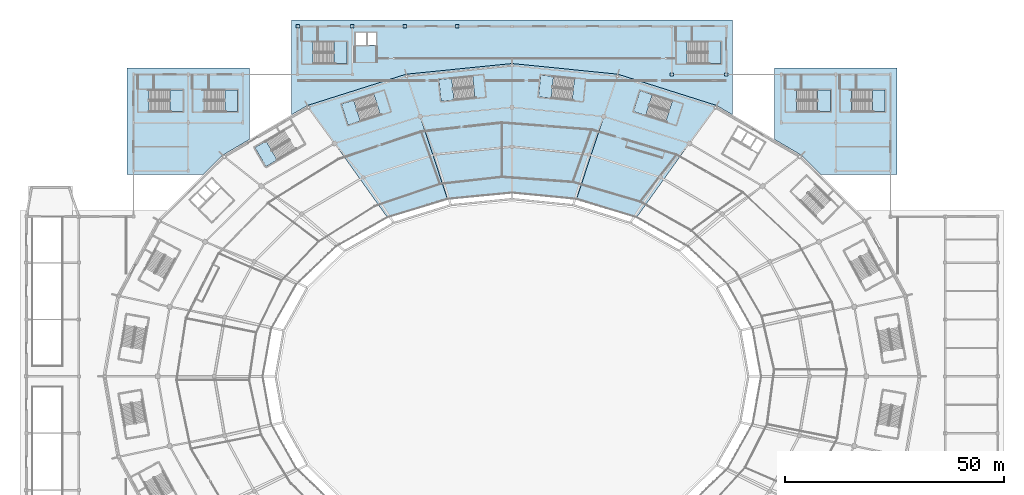
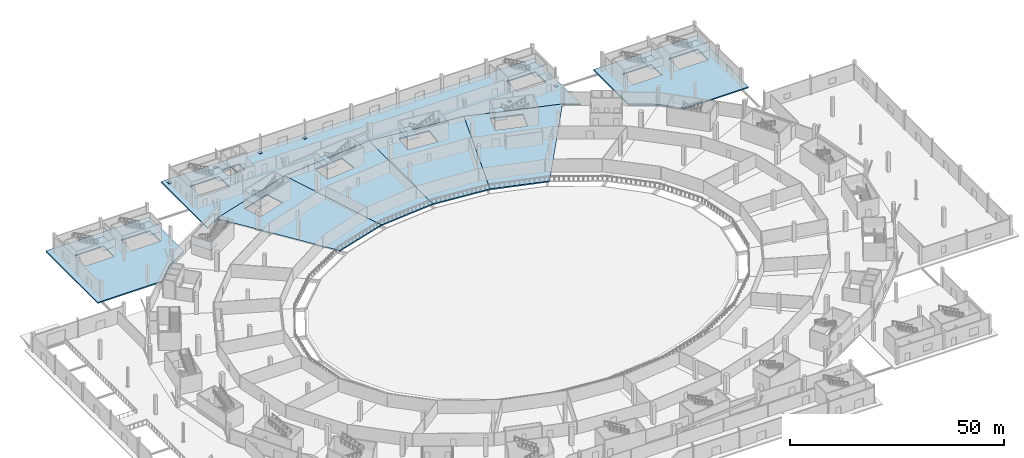
# One storey, part 31 of 82: 18 slabs, 6 plates, 11 elements without a shape of their own.
"""IFC4 building model written with IfcOpenShell, lengths in metres."""

from ifc_helpers import new_model, si_unit, direction, frame, origin, origin_2d, place, context, subcontext, project, spatial, polyline, rectangle, outline, extrude, material, layer, layer_set, type_object, element, aggregate, save


model = new_model("IFC4")

# Units and contexts
model_context = context("Model", 3, precision=1e-05, world=origin(), true_north=direction((0.0, 1.0)))
body_context = subcontext(model_context, "Body", "Model", "MODEL_VIEW")
ifc_project = project(units=[si_unit("LENGTHUNIT", "METRE"), si_unit("AREAUNIT", "SQUARE_METRE"), si_unit("VOLUMEUNIT", "CUBIC_METRE"), si_unit("PLANEANGLEUNIT", "RADIAN"), si_unit("MASSUNIT", "GRAM", prefix="KILO")], contexts=[model_context])

# Site, building, storey
site_placement = place(None, origin())
site = spatial("IfcSite", under=ifc_project, at=site_placement, CompositionType="ELEMENT")
building_placement = place(site_placement, origin())
building = spatial("IfcBuilding", under=site, at=building_placement, Name="Zlatoyarsky Gate Stadium", CompositionType="ELEMENT")
storey_placement = place(building_placement, origin())
storey = spatial("IfcBuildingStorey", under=building, at=storey_placement, Name="L00", CompositionType="ELEMENT", Elevation=0.0)

# Slabs
ifc_material_1 = material(Name="Concrete C40/50", Category="concrete")
ifc_layer_1 = layer(ifc_material_1, 0.35009765625)
ifc_layer_set_1 = layer_set([ifc_layer_1], Name="Concrete C40/50")
slab_type_1 = type_object("IfcSlabType", Name="CONCRETE GROUND EVENT SLAB 350", PredefinedType="FLOOR", material=ifc_layer_set_1)
slab_1_placement = place(storey_placement, frame((0.0, 0.0, -0.35009765625)))
element("IfcSlab", 1, at=slab_1_placement, inside=storey, type_object=slab_type_1, Name="L00 bowl sector 04 slab", PredefinedType="FLOOR", context=body_context, shape_type="SweptSolid", body=[
    extrude(outline(polyline([(125.700927734375, 120.375732421875), (135.19970703125, 149.063720703125), (157.75, 141.9208984375), (139.39990234375, 116.199951171875), (125.700927734375, 120.375732421875)]), holes=[polyline([(146.145751953125, 138.197021484375), (147.6533203125, 142.964111328125), (140.263916015625, 145.30078125), (138.75634765625, 140.53369140625), (146.145751953125, 138.197021484375)])]), origin(), (0.0, 0.0, 1.0), 0.35009765625),
])
slab_2_placement = place(storey_placement, frame((0.0, 0.0, -0.35009765625)))
element("IfcSlab", 2, at=slab_2_placement, inside=storey, type_object=slab_type_1, Name="L00 bowl sector 05 slab", PredefinedType="FLOOR", context=body_context, shape_type="SweptSolid", body=[
    extrude(outline(polyline([(111.0, 121.800048828125), (111.0, 151.5), (135.19970703125, 149.063720703125), (125.700927734375, 120.375732421875), (111.0, 121.800048828125)]), holes=[polyline([(124.76953125, 143.115966796875), (125.26953125, 148.0908203125), (117.558349609375, 148.865966796875), (117.058349609375, 143.890869140625), (124.76953125, 143.115966796875)])]), origin(), (0.0, 0.0, 1.0), 0.35009765625),
])
slab_3_placement = place(storey_placement, frame((0.0, 0.0, -0.35009765625)))
element("IfcSlab", 3, at=slab_3_placement, inside=storey, type_object=slab_type_1, Name="L00 bowl sector 06 slab", PredefinedType="FLOOR", context=body_context, shape_type="SweptSolid", body=[
    extrude(outline(polyline([(96.299072265625, 120.375732421875), (86.80029296875, 149.063720703125), (111.0, 151.5), (111.0, 121.800048828125), (96.299072265625, 120.375732421875)]), holes=[polyline([(102.00390625, 148.620849609375), (94.292724609375, 147.845703125), (94.792724609375, 142.870849609375), (102.50390625, 143.64599609375), (102.00390625, 148.620849609375)])]), origin(), (0.0, 0.0, 1.0), 0.35009765625),
])
slab_4_placement = place(storey_placement, frame((0.0, 0.0, -0.35009765625)))
element("IfcSlab", 4, at=slab_4_placement, inside=storey, type_object=slab_type_1, Name="L00 bowl sector 07 slab", PredefinedType="FLOOR", context=body_context, shape_type="SweptSolid", body=[
    extrude(outline(polyline([(82.60009765625, 116.199951171875), (64.25, 141.9208984375), (86.80029296875, 149.063720703125), (96.299072265625, 120.375732421875), (82.60009765625, 116.199951171875)]), holes=[polyline([(80.90771484375, 139.794921875), (79.39990234375, 144.562255859375), (72.0107421875, 142.2255859375), (73.518310546875, 137.458251953125), (80.90771484375, 139.794921875)])]), origin(), (0.0, 0.0, 1.0), 0.35009765625),
])
slab_5_placement = place(storey_placement, frame((0.0, 0.0, -0.35009765625)))
element("IfcSlab", 5, at=slab_5_placement, inside=storey, type_object=slab_type_1, Name="L00 wing V2_NORTH slab", PredefinedType="FLOOR", context=body_context, shape_type="SweptSolid", body=[
    extrude(outline(polyline([(161.449951171875, 139.749755859375), (157.75, 141.9208984375), (135.19970703125, 149.063720703125), (111.0, 151.5), (86.80029296875, 149.063720703125), (64.25, 141.9208984375), (60.550048828125, 139.749755859375), (60.550048828125, 161.449951171875), (161.449951171875, 161.449951171875), (161.449951171875, 139.749755859375)]), holes=[polyline([(65.550048828125, 151.5), (73.300048828125, 151.5), (73.300048828125, 156.5), (65.550048828125, 156.5), (65.550048828125, 151.5)]), polyline([(158.800048828125, 151.5), (158.800048828125, 156.5), (151.050048828125, 156.5), (151.050048828125, 151.5), (158.800048828125, 151.5)]), polyline([(77.75, 158.550048828125), (75.25, 158.550048828125), (75.25, 155.64990234375), (77.75, 155.64990234375), (77.75, 158.550048828125)]), polyline([(80.0, 158.550048828125), (78.0, 158.550048828125), (78.0, 155.75), (80.0, 155.75), (80.0, 158.550048828125)])]), origin(), (0.0, 0.0, 1.0), 0.35009765625),
])
slab_6_placement = place(storey_placement, frame((0.0, 0.0, -0.35009765625)))
element("IfcSlab", 6, at=slab_6_placement, inside=storey, type_object=slab_type_1, Name="L00 wing V6_NE slab", PredefinedType="FLOOR", context=body_context, shape_type="SweptSolid", body=[
    extrude(outline(polyline([(198.949951171875, 126.14990234375), (181.53759765625, 126.14990234375), (177.114501953125, 130.55810546875), (171.050048828125, 134.11669921875), (171.050048828125, 150.449951171875), (198.949951171875, 150.449951171875), (198.949951171875, 126.14990234375)]), holes=[polyline([(176.050048828125, 140.5), (183.800048828125, 140.5), (183.800048828125, 145.5), (176.050048828125, 145.5), (176.050048828125, 140.5)]), polyline([(188.550048828125, 140.5), (196.300048828125, 140.5), (196.300048828125, 145.5), (188.550048828125, 145.5), (188.550048828125, 140.5)])]), origin(), (0.0, 0.0, 1.0), 0.35009765625),
])
slab_7_placement = place(storey_placement, frame((0.0, 0.0, -0.35009765625)))
element("IfcSlab", 7, at=slab_7_placement, inside=storey, type_object=slab_type_1, Name="L00 wing V6_NW slab", PredefinedType="FLOOR", context=body_context, shape_type="SweptSolid", body=[
    extrude(outline(polyline([(50.949951171875, 150.449951171875), (50.949951171875, 134.11669921875), (44.885498046875, 130.55810546875), (40.46240234375, 126.14990234375), (23.050048828125, 126.14990234375), (23.050048828125, 150.449951171875), (50.949951171875, 150.449951171875)]), holes=[polyline([(48.300048828125, 140.5), (48.300048828125, 145.5), (40.550048828125, 145.5), (40.550048828125, 140.5), (48.300048828125, 140.5)]), polyline([(28.050048828125, 140.5), (35.800048828125, 140.5), (35.800048828125, 145.5), (28.050048828125, 145.5), (28.050048828125, 140.5)])]), origin(), (0.0, 0.0, 1.0), 0.35009765625),
])

# Stair, slab
stair_type = type_object("IfcStairType", Name="CONCRETE DOGLEG EXIT STAIR H5400", PredefinedType="TWO_STRAIGHT_RUN_STAIR", material=ifc_material_1)
stair_1_placement = place(storey_placement, origin())
stair_1 = element("IfcStair", 8, at=stair_1_placement, inside=storey, type_object=stair_type, Name="L00 Exit Stair ST-03", PredefinedType="TWO_STRAIGHT_RUN_STAIR")
ifc_layer_2 = layer(ifc_material_1, 0.199951171875)
ifc_layer_set_2 = layer_set([ifc_layer_2], Name="Concrete C40/50")
slab_type_2 = type_object("IfcSlabType", Name="CONCRETE STAIR LANDING SLAB 200", PredefinedType="LANDING", material=ifc_layer_set_2)
slab_8_placement = place(storey_placement, frame((0.0, 0.0, 2.5)))
slab_8 = element("IfcSlab", 9, at=slab_8_placement, type_object=slab_type_2, Name="ST-DG54 landing 1", PredefinedType="LANDING", context=body_context, shape_type="SweptSolid", body=[
    extrude(outline(polyline([(143.07666015625, 144.411376953125), (140.263916015625, 145.30078125), (138.75634765625, 140.53369140625), (141.569091796875, 139.64404296875), (143.07666015625, 144.411376953125)])), origin(), (0.0, 0.0, 1.0), 0.199951171875),
])
aggregate(stair_1, [slab_8])

stair_2_placement = place(storey_placement, origin())
stair_2 = element("IfcStair", 10, at=stair_2_placement, inside=storey, type_object=stair_type, Name="L00 Exit Stair ST-04", PredefinedType="TWO_STRAIGHT_RUN_STAIR")
slab_9_placement = place(storey_placement, frame((0.0, 0.0, 2.5)))
slab_9 = element("IfcSlab", 11, at=slab_9_placement, type_object=slab_type_2, Name="ST-DG54 landing 1", PredefinedType="LANDING", context=body_context, shape_type="SweptSolid", body=[
    extrude(outline(polyline([(97.22802734375, 148.140869140625), (94.292724609375, 147.845703125), (94.792724609375, 142.870849609375), (97.72802734375, 143.165771484375), (97.22802734375, 148.140869140625)])), origin(), (0.0, 0.0, 1.0), 0.199951171875),
])
aggregate(stair_2, [slab_9])

stair_3_placement = place(storey_placement, origin())
stair_3 = element("IfcStair", 12, at=stair_3_placement, inside=storey, type_object=stair_type, Name="L00 Exit Stair ST-05", PredefinedType="TWO_STRAIGHT_RUN_STAIR")
slab_10_placement = place(storey_placement, frame((0.0, 0.0, 2.5)))
slab_10 = element("IfcSlab", 13, at=slab_10_placement, type_object=slab_type_2, Name="ST-DG54 landing 1", PredefinedType="LANDING", context=body_context, shape_type="SweptSolid", body=[
    extrude(outline(polyline([(54.792724609375, 133.778076171875), (52.247314453125, 132.287109375), (54.774658203125, 127.972900390625), (57.320068359375, 129.4638671875), (54.792724609375, 133.778076171875)])), origin(), (0.0, 0.0, 1.0), 0.199951171875),
])
aggregate(stair_3, [slab_10])

stair_4_placement = place(storey_placement, origin())
stair_4 = element("IfcStair", 14, at=stair_4_placement, inside=storey, type_object=stair_type, Name="L00 Exit Stair ST-14", PredefinedType="TWO_STRAIGHT_RUN_STAIR")
slab_11_placement = place(storey_placement, frame((0.0, 0.0, 2.5)))
slab_11 = element("IfcSlab", 15, at=slab_11_placement, type_object=slab_type_2, Name="ST-DG54 landing 1", PredefinedType="LANDING", context=body_context, shape_type="SweptSolid", body=[
    extrude(outline(polyline([(74.823486328125, 143.114990234375), (72.0107421875, 142.2255859375), (73.518310546875, 137.458251953125), (76.3310546875, 138.34765625), (74.823486328125, 143.114990234375)])), origin(), (0.0, 0.0, 1.0), 0.199951171875),
])
aggregate(stair_4, [slab_11])

stair_5_placement = place(storey_placement, origin())
stair_5 = element("IfcStair", 16, at=stair_5_placement, inside=storey, type_object=stair_type, Name="L00 Exit Stair ST-17", PredefinedType="TWO_STRAIGHT_RUN_STAIR")
slab_12_placement = place(storey_placement, frame((0.0, 0.0, 2.5)))
slab_12 = element("IfcSlab", 17, at=slab_12_placement, type_object=slab_type_2, Name="ST-DG54 landing 1", PredefinedType="LANDING", context=body_context, shape_type="SweptSolid", body=[
    extrude(outline(polyline([(120.49365234375, 148.57080078125), (117.558349609375, 148.865966796875), (117.058349609375, 143.890869140625), (119.99365234375, 143.595947265625), (120.49365234375, 148.57080078125)])), origin(), (0.0, 0.0, 1.0), 0.199951171875),
])
aggregate(stair_5, [slab_12])

stair_6_placement = place(storey_placement, origin())
stair_6 = element("IfcStair", 18, at=stair_6_placement, inside=storey, type_object=stair_type, Name="L00 Exit Stair ST-25", PredefinedType="TWO_STRAIGHT_RUN_STAIR")
slab_13_placement = place(storey_placement, frame((0.0, 0.0, 2.5)))
slab_13 = element("IfcSlab", 19, at=slab_13_placement, type_object=slab_type_2, Name="ST-DG54 landing 1", PredefinedType="LANDING", context=body_context, shape_type="SweptSolid", body=[
    extrude(outline(polyline([(32.85009765625, 140.5), (35.800048828125, 140.5), (35.800048828125, 145.5), (32.85009765625, 145.5), (32.85009765625, 140.5)])), origin(), (0.0, 0.0, 1.0), 0.199951171875),
])
aggregate(stair_6, [slab_13])

stair_7_placement = place(storey_placement, origin())
stair_7 = element("IfcStair", 20, at=stair_7_placement, inside=storey, type_object=stair_type, Name="L00 Exit Stair ST-26", PredefinedType="TWO_STRAIGHT_RUN_STAIR")
slab_14_placement = place(storey_placement, frame((0.0, 0.0, 2.5)))
slab_14 = element("IfcSlab", 21, at=slab_14_placement, type_object=slab_type_2, Name="ST-DG54 landing 1", PredefinedType="LANDING", context=body_context, shape_type="SweptSolid", body=[
    extrude(outline(polyline([(45.35009765625, 140.5), (48.300048828125, 140.5), (48.300048828125, 145.5), (45.35009765625, 145.5), (45.35009765625, 140.5)])), origin(), (0.0, 0.0, 1.0), 0.199951171875),
])
aggregate(stair_7, [slab_14])

stair_8_placement = place(storey_placement, origin())
stair_8 = element("IfcStair", 22, at=stair_8_placement, inside=storey, type_object=stair_type, Name="L00 Exit Stair ST-27", PredefinedType="TWO_STRAIGHT_RUN_STAIR")
slab_15_placement = place(storey_placement, frame((0.0, 0.0, 2.5)))
slab_15 = element("IfcSlab", 23, at=slab_15_placement, type_object=slab_type_2, Name="ST-DG54 landing 1", PredefinedType="LANDING", context=body_context, shape_type="SweptSolid", body=[
    extrude(outline(polyline([(180.85009765625, 140.5), (183.800048828125, 140.5), (183.800048828125, 145.5), (180.85009765625, 145.5), (180.85009765625, 140.5)])), origin(), (0.0, 0.0, 1.0), 0.199951171875),
])
aggregate(stair_8, [slab_15])

stair_9_placement = place(storey_placement, origin())
stair_9 = element("IfcStair", 24, at=stair_9_placement, inside=storey, type_object=stair_type, Name="L00 Exit Stair ST-28", PredefinedType="TWO_STRAIGHT_RUN_STAIR")
slab_16_placement = place(storey_placement, frame((0.0, 0.0, 2.5)))
slab_16 = element("IfcSlab", 25, at=slab_16_placement, type_object=slab_type_2, Name="ST-DG54 landing 1", PredefinedType="LANDING", context=body_context, shape_type="SweptSolid", body=[
    extrude(outline(polyline([(193.35009765625, 140.5), (196.300048828125, 140.5), (196.300048828125, 145.5), (193.35009765625, 145.5), (193.35009765625, 140.5)])), origin(), (0.0, 0.0, 1.0), 0.199951171875),
])
aggregate(stair_9, [slab_16])

stair_10_placement = place(storey_placement, origin())
stair_10 = element("IfcStair", 26, at=stair_10_placement, inside=storey, type_object=stair_type, Name="L00 Exit Stair ST-31", PredefinedType="TWO_STRAIGHT_RUN_STAIR")
slab_17_placement = place(storey_placement, frame((0.0, 0.0, 2.5)))
slab_17 = element("IfcSlab", 27, at=slab_17_placement, type_object=slab_type_2, Name="ST-DG54 landing 1", PredefinedType="LANDING", context=body_context, shape_type="SweptSolid", body=[
    extrude(outline(polyline([(70.35009765625, 151.5), (73.300048828125, 151.5), (73.300048828125, 156.5), (70.35009765625, 156.5), (70.35009765625, 151.5)])), origin(), (0.0, 0.0, 1.0), 0.199951171875),
])
aggregate(stair_10, [slab_17])

stair_11_placement = place(storey_placement, origin())
stair_11 = element("IfcStair", 28, at=stair_11_placement, inside=storey, type_object=stair_type, Name="L00 Exit Stair ST-32", PredefinedType="TWO_STRAIGHT_RUN_STAIR")
slab_18_placement = place(storey_placement, frame((0.0, 0.0, 2.5)))
slab_18 = element("IfcSlab", 29, at=slab_18_placement, type_object=slab_type_2, Name="ST-DG54 landing 1", PredefinedType="LANDING", context=body_context, shape_type="SweptSolid", body=[
    extrude(outline(polyline([(155.85009765625, 151.5), (158.800048828125, 151.5), (158.800048828125, 156.5), (155.85009765625, 156.5), (155.85009765625, 151.5)])), origin(), (0.0, 0.0, 1.0), 0.199951171875),
])
aggregate(stair_11, [slab_18])

# Plates
ifc_material_2 = material(Name="Steel S355", Category="steel")
ifc_layer_3 = layer(ifc_material_2, 0.0400390625)
ifc_layer_set_3 = layer_set([ifc_layer_3], Name="Steel S355")
plate_type = type_object("IfcPlateType", Name="STEEL COLUMN BASE PLATE 40", PredefinedType="USERDEFINED", material=ifc_layer_set_3)
for number, where, z_axis, x_axis, name in (
    (30, (147.5, 149.0, 0.0), (0.0, 0.0, 1.0), (1.0, 0.0, 0.0), "Column base plate BP-01 at WG-13-P L00"),
    (31, (160.0, 149.0, 0.0), (0.0, 0.0, 1.0), (1.0, 0.0, 0.0), "Column base plate BP-01 at WG-14-P L00"),
    (32, (62.0, 160.0, 0.0), (0.0, 0.0, 1.0), (1.0, 0.0, 0.0), "Column base plate BP-01 at WG-6-Q L00"),
    (33, (74.5, 160.0, 0.0), (0.0, 0.0, 1.0), (1.0, 0.0, 0.0), "Column base plate BP-01 at WG-7-Q L00"),
    (34, (86.5, 160.0, 0.0), (0.0, 0.0, 1.0), (1.0, 0.0, 0.0), "Column base plate BP-01 at WG-8-Q L00"),
    (35, (98.5, 160.0, 0.0), (0.0, 0.0, 1.0), (1.0, 0.0, 0.0), "Column base plate BP-01 at WG-9-Q L00"),
):
    element("IfcPlate", number, at=place(storey_placement, frame(where, z_axis=z_axis, x_axis=x_axis)), inside=storey, type_object=plate_type, Name=name, ObjectType="BASE PLATE", PredefinedType="USERDEFINED", context=body_context, shape_type="SweptSolid", body=[
        extrude(rectangle(XDim=0.75, YDim=0.75, at=origin_2d()), origin(), (0.0, 0.0, 1.0), 0.0400390625),
    ])

save(model, "model.ifc")
